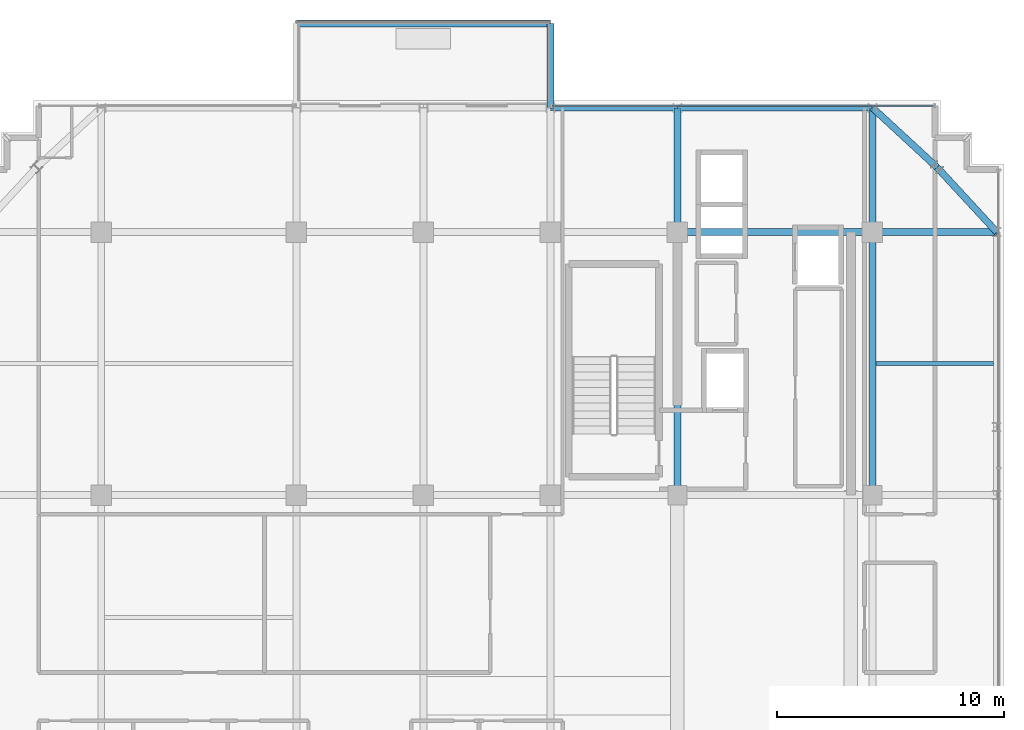
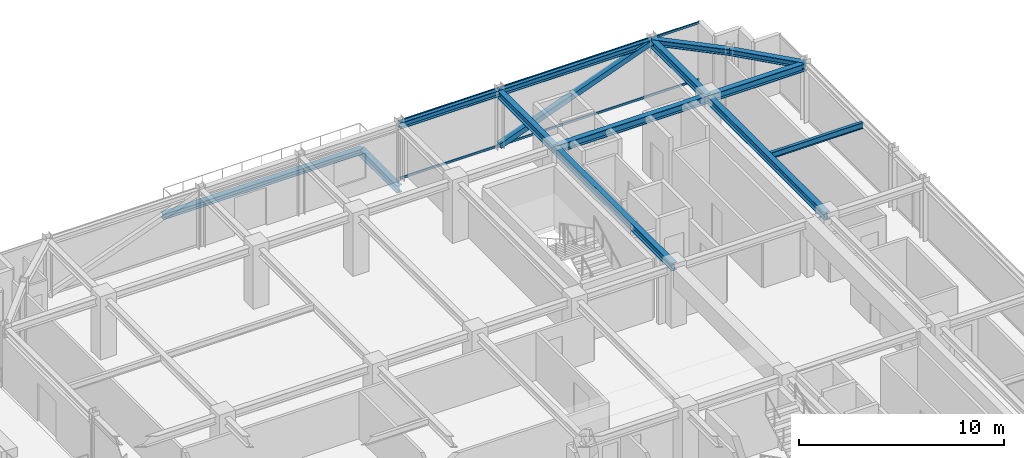
# One storey, part 22 of 36: 13 beams, 3 members, 1 element without a shape of its own.
"""IFC4 building model written with IfcOpenShell, lengths in metres."""

from ifc_helpers import new_model, si_unit, direction, frame, origin, origin_2d, place, context, subcontext, project, spatial, hollow_rectangle, i_section, extrude, source, transform, mapped, material, material_profile, profile_set, type_object, element, aggregate, save


model = new_model("IFC4")

# Units and contexts
model_context = context("Model", 3, precision=1e-05, world=origin(), true_north=direction((0.0, 1.0)))
body_context = subcontext(model_context, "Body", "Model", "MODEL_VIEW")
ifc_project = project(units=[si_unit("LENGTHUNIT", "METRE"), si_unit("AREAUNIT", "SQUARE_METRE"), si_unit("VOLUMEUNIT", "CUBIC_METRE"), si_unit("PLANEANGLEUNIT", "RADIAN"), si_unit("MASSUNIT", "GRAM", prefix="KILO")], contexts=[model_context])

# Site, building, storey
site_placement = place(None, origin())
site = spatial("IfcSite", under=ifc_project, at=site_placement, CompositionType="ELEMENT")
building_placement = place(site_placement, origin())
building = spatial("IfcBuilding", under=site, at=building_placement, Name="Nahalor Promenade Grand Hotel", CompositionType="ELEMENT")
storey_placement = place(building_placement, frame((0.0, 0.0, 319.550048828125)))
storey = spatial("IfcBuildingStorey", under=building, at=storey_placement, Name="L82", CompositionType="ELEMENT", Elevation=319.550048828125)

# Beams
ifc_material_1 = material(Name="Steel S355JR", Category="steel")
ifc_material_profile_1 = material_profile(ifc_material_1, i_section(OverallWidth=0.3, OverallDepth=0.32, WebThickness=0.0115, FlangeThickness=0.0205, at=origin_2d()), Name="HEB 320")
ifc_profile_set_1 = profile_set([ifc_material_profile_1], Name="Steel S355JR")
beam_type_1 = type_object("IfcBeamType", Name="Beam-BalcEdge-HEB320", PredefinedType="SPANDREL", material=ifc_profile_set_1)
shared_shape_1 = source(origin(), body_context, "Body", "SweptSolid", [
    extrude(i_section(OverallWidth=0.3, OverallDepth=0.32, WebThickness=0.0115, FlangeThickness=0.0205, at=origin_2d()), origin(), (0.0, 0.0, 1.0), 11.199951171875),
])
beam_1_placement = place(storey_placement, frame((-8.39990234375, 26.199951171875, -0.43994140625), z_axis=(1.0, 0.0, 0.0), x_axis=(0.0, 1.0, 0.0)))
element("IfcBeam", 1, at=beam_1_placement, inside=storey, type_object=beam_type_1, Name="BM-L82-BC-01-F", PredefinedType="SPANDREL", context=body_context, shape_type="MappedRepresentation", body=[
    mapped(shared_shape_1, transform((0.0, 0.0, 0.0), scale=1.0)),
])
ifc_material_profile_2 = material_profile(ifc_material_1, i_section(OverallWidth=0.3, OverallDepth=0.45, WebThickness=0.014, FlangeThickness=0.026, at=origin_2d()), Name="HEB 450")
ifc_profile_set_2 = profile_set([ifc_material_profile_2], Name="Steel S355JR")
beam_type_2 = type_object("IfcBeamType", Name="Beam-Outrigger-HEB450", PredefinedType="BEAM", material=ifc_profile_set_2)
shared_shape_2 = source(origin(), body_context, "Body", "SweptSolid", [
    extrude(i_section(OverallWidth=0.3, OverallDepth=0.45, WebThickness=0.014, FlangeThickness=0.026, at=origin_2d()), origin(), (0.0, 0.0, 1.0), 3.719970703125),
])
beam_2_placement = place(storey_placement, frame((2.800048828125, 22.47998046875, -0.505126953125), z_axis=(0.0, 1.0, 0.0), x_axis=(-1.0, 0.0, 0.0)))
element("IfcBeam", 2, at=beam_2_placement, inside=storey, type_object=beam_type_2, Name="BM-L82-BC-01-2", PredefinedType="BEAM", context=body_context, shape_type="MappedRepresentation", body=[
    mapped(shared_shape_2, transform((0.0, 0.0, 0.0), scale=1.0)),
])
ifc_material_profile_3 = material_profile(ifc_material_1, i_section(OverallWidth=0.3, OverallDepth=0.45, WebThickness=0.014, FlangeThickness=0.026, at=origin_2d()), Name="HEB 450")
ifc_profile_set_3 = profile_set([ifc_material_profile_3], Name="Steel S355JR")
beam_type_3 = type_object("IfcBeamType", Name="Beam-Girder-HEB450", PredefinedType="BEAM", material=ifc_profile_set_3)
shared_shape_3 = source(origin(), body_context, "Body", "SweptSolid", [
    extrude(i_section(OverallWidth=0.3, OverallDepth=0.45, WebThickness=0.014, FlangeThickness=0.026, at=origin_2d()), origin(), (0.0, 0.0, 1.0), 8.60009765625),
])
beam_3_placement = place(storey_placement, frame((8.39990234375, 17.0, 3.27490234375), z_axis=(1.0, 0.0, 0.0), x_axis=(0.0, 1.0, 0.0)))
element("IfcBeam", 3, at=beam_3_placement, inside=storey, type_object=beam_type_3, Name="BM-L82-GX-3-5", PredefinedType="BEAM", context=body_context, shape_type="MappedRepresentation", body=[
    mapped(shared_shape_3, transform((0.0, 0.0, 0.0), scale=1.0)),
])
shared_shape_4 = source(origin(), body_context, "Body", "SweptSolid", [
    extrude(i_section(OverallWidth=0.3, OverallDepth=0.45, WebThickness=0.014, FlangeThickness=0.026, at=origin_2d()), origin(), (0.0, 0.0, 1.0), 11.60009765625),
])
for number, where, z_axis, x_axis, name in (
    (4, (8.39990234375, 5.39990234375, 3.27490234375), (0.0, 1.0, 0.0), (-1.0, 0.0, 0.0), "BM-L82-GY-4-3"),
    (5, (17.0, 5.39990234375, 3.27490234375), (0.0, 1.0, 0.0), (-1.0, 0.0, 0.0), "BM-L82-GY-5-3"),
):
    element("IfcBeam", number, at=place(storey_placement, frame(where, z_axis=z_axis, x_axis=x_axis)), inside=storey, type_object=beam_type_3, Name=name, PredefinedType="BEAM", context=body_context, shape_type="MappedRepresentation", body=[
        mapped(shared_shape_4, transform((0.0, 0.0, 0.0), scale=1.0)),
    ])
shared_shape_5 = source(origin(), body_context, "Body", "SweptSolid", [
    extrude(i_section(OverallWidth=0.3, OverallDepth=0.45, WebThickness=0.014, FlangeThickness=0.026, at=origin_2d()), origin(), (0.0, 0.0, 1.0), 5.47998046875),
])
for number, where, z_axis, x_axis, name in (
    (6, (17.0, 17.0, 3.27490234375), (1.0, 0.0, 0.0), (0.0, 1.0, 0.0), "BM-L82-GX-3-6"),
    (7, (8.39990234375, 17.0, 3.27490234375), (0.0, 1.0, 0.0), (-1.0, 0.0, 0.0), "BM-L82-GY-4-4"),
    (8, (17.0, 17.0, 3.27490234375), (0.0, 1.0, 0.0), (-1.0, 0.0, 0.0), "BM-L82-GY-5-4"),
):
    element("IfcBeam", number, at=place(storey_placement, frame(where, z_axis=z_axis, x_axis=x_axis)), inside=storey, type_object=beam_type_3, Name=name, PredefinedType="BEAM", context=body_context, shape_type="MappedRepresentation", body=[
        mapped(shared_shape_5, transform((0.0, 0.0, 0.0), scale=1.0)),
    ])
ifc_material_profile_4 = material_profile(ifc_material_1, i_section(OverallWidth=0.3, OverallDepth=0.36, WebThickness=0.0125, FlangeThickness=0.0225, at=origin_2d()), Name="HEB 360")
ifc_profile_set_4 = profile_set([ifc_material_profile_4], Name="Steel S355JR")
beam_type_4 = type_object("IfcBeamType", Name="Beam-Spandrel-HEB360", PredefinedType="SPANDREL", material=ifc_profile_set_4)
shared_shape_6 = source(origin(), body_context, "Body", "SweptSolid", [
    extrude(i_section(OverallWidth=0.3, OverallDepth=0.36, WebThickness=0.0125, FlangeThickness=0.0225, at=origin_2d()), origin(), (0.0, 0.0, 1.0), 8.60009765625),
])
beam_4_placement = place(storey_placement, frame((8.39990234375, 22.47998046875, 3.320068359375), z_axis=(1.0, 0.0, 0.0), x_axis=(0.0, 1.0, 0.0)))
element("IfcBeam", 9, at=beam_4_placement, inside=storey, type_object=beam_type_4, Name="BM-L82-SP-N-4", PredefinedType="SPANDREL", context=body_context, shape_type="MappedRepresentation", body=[
    mapped(shared_shape_6, transform((0.0, 0.0, 0.0), scale=1.0)),
])
shared_shape_7 = source(origin(), body_context, "Body", "SweptSolid", [
    extrude(i_section(OverallWidth=0.3, OverallDepth=0.36, WebThickness=0.0125, FlangeThickness=0.0225, at=origin_2d()), origin(), (0.0, 0.0, 1.0), 5.599853515625),
])
beam_5_placement = place(storey_placement, frame((2.800048828125, 22.47998046875, 3.320068359375), z_axis=(1.0, 0.0, 0.0), x_axis=(0.0, 1.0, 0.0)))
element("IfcBeam", 10, at=beam_5_placement, inside=storey, type_object=beam_type_4, Name="BM-L82-SP-N-3", PredefinedType="SPANDREL", context=body_context, shape_type="MappedRepresentation", body=[
    mapped(shared_shape_7, transform((0.0, 0.0, 0.0), scale=1.0)),
])
shared_shape_8 = source(origin(), body_context, "Body", "SweptSolid", [
    extrude(i_section(OverallWidth=0.3, OverallDepth=0.36, WebThickness=0.0125, FlangeThickness=0.0225, at=origin_2d()), origin(), (0.0, 0.0, 1.0), 3.878173828125),
])
for number, where, z_axis, x_axis, name in (
    (11, (17.0, 22.47998046875, 3.320068359375), (0.73492893846, -0.678144125843, 0.0), (0.678144125843, 0.73492893846, 0.0), "BM-L82-SPC-NE-1"),
    (12, (19.85009765625, 19.85009765625, 3.320068359375), (0.678144125843, -0.73492893846, 0.0), (0.73492893846, 0.678144125843, 0.0), "BM-L82-SPC-NE-2"),
):
    element("IfcBeam", number, at=place(storey_placement, frame(where, z_axis=z_axis, x_axis=x_axis)), inside=storey, type_object=beam_type_4, Name=name, PredefinedType="SPANDREL", context=body_context, shape_type="MappedRepresentation", body=[
        mapped(shared_shape_8, transform((0.0, 0.0, 0.0), scale=1.0)),
    ])
ifc_material_profile_5 = material_profile(ifc_material_1, i_section(OverallWidth=0.17, OverallDepth=0.36, WebThickness=0.008, FlangeThickness=0.0127, at=origin_2d()), Name="IPE 360")
ifc_profile_set_5 = profile_set([ifc_material_profile_5], Name="Steel S355JR")
beam_type_5 = type_object("IfcBeamType", Name="Beam-Joist-IPE360", PredefinedType="JOIST", material=ifc_profile_set_5)
shared_shape_9 = source(origin(), body_context, "Body", "SweptSolid", [
    extrude(i_section(OverallWidth=0.17, OverallDepth=0.36, WebThickness=0.008, FlangeThickness=0.0127, at=origin_2d()), origin(), (0.0, 0.0, 1.0), 5.18017578125),
])
beam_6_placement = place(storey_placement, frame((17.14990234375, 11.199951171875, 3.320068359375), z_axis=(1.0, 0.0, 0.0), x_axis=(0.0, 1.0, 0.0)))
element("IfcBeam", 13, at=beam_6_placement, inside=storey, type_object=beam_type_5, Name="BM-L82-JSE-1-2", PredefinedType="JOIST", context=body_context, shape_type="MappedRepresentation", body=[
    mapped(shared_shape_9, transform((0.0, 0.0, 0.0), scale=1.0)),
])

# Member
ifc_material_profile_6 = material_profile(ifc_material_1, hollow_rectangle(XDim=0.3, YDim=0.3, WallThickness=0.016, at=origin_2d()), Name="SHS 300x300x16")
ifc_profile_set_6 = profile_set([ifc_material_profile_6], Name="Steel S355JR")
member_type_1 = type_object("IfcMemberType", Name="Mem-CrownBrace-SHS300", PredefinedType="BRACE", material=ifc_profile_set_6)
shared_shape_10 = source(origin(), body_context, "Body", "SweptSolid", [
    extrude(hollow_rectangle(XDim=0.3, YDim=0.3, WallThickness=0.016, at=origin_2d()), origin(), (0.0, 0.0, 1.0), 9.176025390625),
])
member_1_placement = place(storey_placement, frame((8.39990234375, 22.47998046875, 0.14990234375), z_axis=(0.937224884492, 0.0, 0.348725559559), x_axis=(0.0, 1.0, 0.0)))
element("IfcMember", 14, at=member_1_placement, inside=storey, type_object=member_type_1, Name="EXO-L82-N-1", PredefinedType="BRACE", context=body_context, shape_type="MappedRepresentation", body=[
    mapped(shared_shape_10, transform((0.0, 0.0, 0.0), scale=1.0)),
])

# Curtain wall, members
ifc_material_2 = material(Name="Anodised Bronze Aluminium EN AW-6063 T6", Category="aluminium")
curtain_wall_type = type_object("IfcCurtainWallType", Name="CW2 Typical Hotel Flush Bronze Unitised Curtain Wall", PredefinedType="USERDEFINED", material=ifc_material_2)
curtain_wall_placement = place(storey_placement, origin())
curtain_wall = element("IfcCurtainWall", 15, at=curtain_wall_placement, inside=storey, type_object=curtain_wall_type, Name="L82 Curtain Wall CW-L82-N-3", ObjectType="UNITISED_CURTAIN_WALL", PredefinedType="USERDEFINED")
ifc_material_profile_7 = material_profile(ifc_material_2, hollow_rectangle(XDim=0.065, YDim=0.13, WallThickness=0.004, at=origin_2d()), Name="CWT 65x130x4")
ifc_profile_set_7 = profile_set([ifc_material_profile_7], Name="Anodised Bronze Aluminium EN AW-6063 T6")
member_type_2 = type_object("IfcMemberType", Name="CWT2 Typical Bronze Transom 65x130", PredefinedType="USERDEFINED", material=ifc_profile_set_7)
shared_shape_11 = source(origin(), body_context, "Body", "SweptSolid", [
    extrude(hollow_rectangle(XDim=0.065, YDim=0.13, WallThickness=0.004, at=origin_2d()), origin(), (0.0, 0.0, 1.0), 16.830078125),
])
member_2_placement = place(storey_placement, frame((2.864990234375, 22.56005859375, 0.06494140625), z_axis=(1.0, 0.0, 0.0), x_axis=(0.0, 1.0, 0.0)))
member_2 = element("IfcMember", 16, at=member_2_placement, type_object=member_type_2, Name="CW-L82-N-3 Transom 0-0", ObjectType="TRANSOM", PredefinedType="USERDEFINED", context=body_context, shape_type="MappedRepresentation", body=[
    mapped(shared_shape_11, transform((0.0, 0.0, 0.0), scale=1.0)),
])
member_3_placement = place(storey_placement, frame((2.864990234375, 22.56005859375, 3.43505859375), z_axis=(1.0, 0.0, 0.0), x_axis=(0.0, 1.0, 0.0)))
member_3 = element("IfcMember", 17, at=member_3_placement, type_object=member_type_2, Name="CW-L82-N-3 Transom 0-1", ObjectType="TRANSOM", PredefinedType="USERDEFINED", context=body_context, shape_type="MappedRepresentation", body=[
    mapped(shared_shape_11, transform((0.0, 0.0, 0.0), scale=1.0)),
])
aggregate(curtain_wall, [member_2, member_3])

save(model, "model.ifc")
